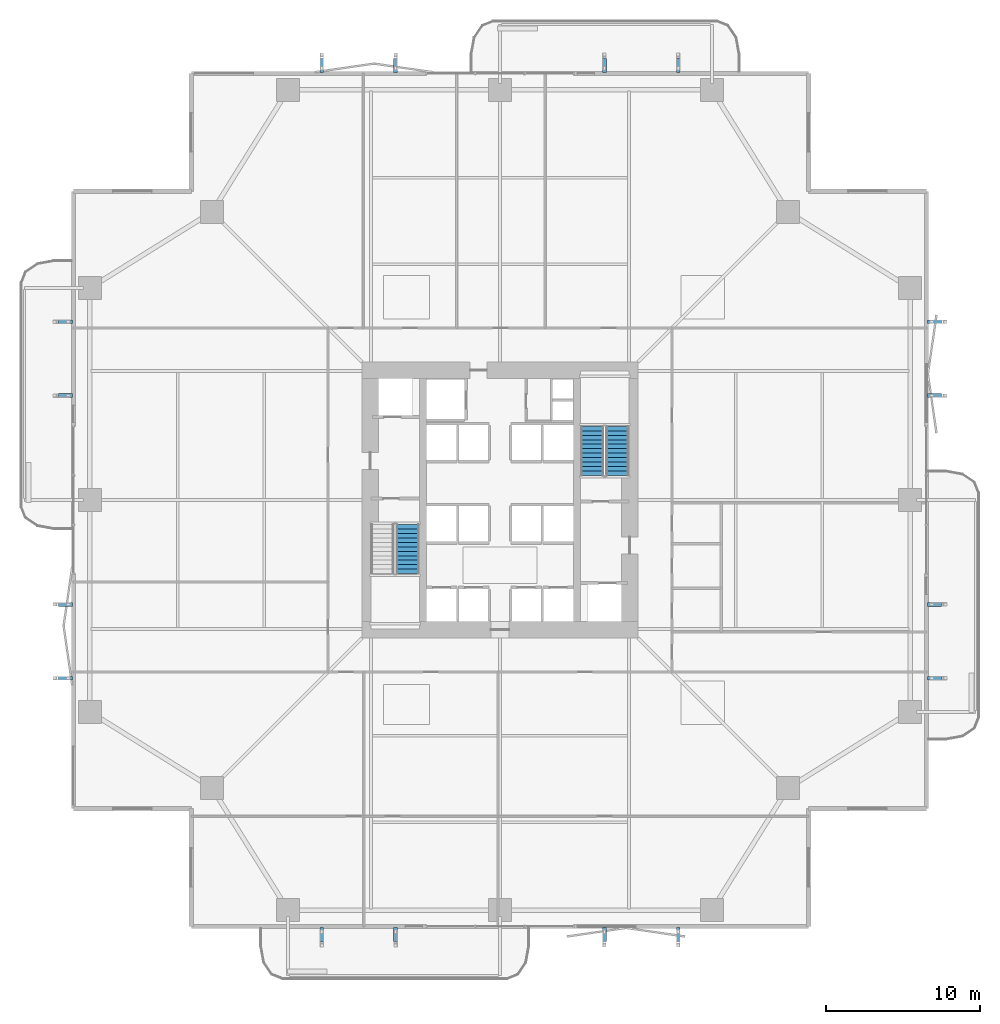
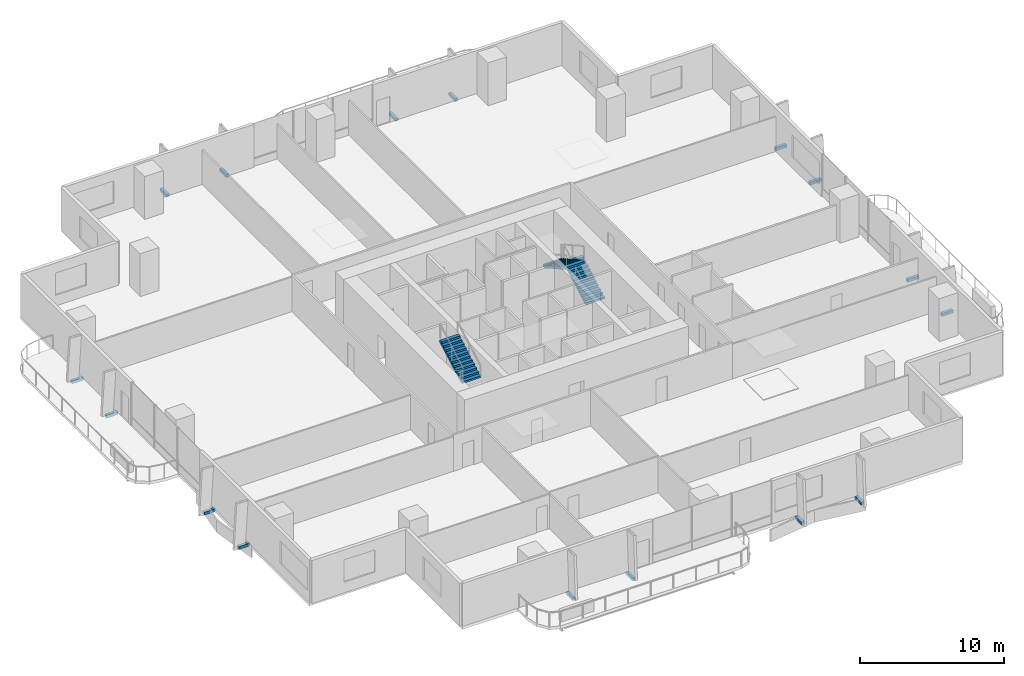
# One storey, part 20 of 23: 16 discrete accessories, 3 stair flights, 2 elements without a shape of their own.
"""IFC4 building model written with IfcOpenShell, lengths in metres."""

from ifc_helpers import new_model, si_unit, direction, frame, origin, origin_2d, place, context, subcontext, project, spatial, polyline, rectangle, outline, extrude, material, layer, layer_set, type_object, element, aggregate, save


model = new_model("IFC4")

# Units and contexts
model_context = context("Model", 3, precision=1e-05, world=origin(), true_north=direction((0.0, 1.0)))
body_context = subcontext(model_context, "Body", "Model", "MODEL_VIEW")
ifc_project = project(units=[si_unit("LENGTHUNIT", "METRE"), si_unit("AREAUNIT", "SQUARE_METRE"), si_unit("VOLUMEUNIT", "CUBIC_METRE"), si_unit("PLANEANGLEUNIT", "RADIAN"), si_unit("MASSUNIT", "GRAM", prefix="KILO")], contexts=[model_context])

# Site, building, storey
site_placement = place(None, origin())
site = spatial("IfcSite", under=ifc_project, at=site_placement, CompositionType="ELEMENT")
building_placement = place(site_placement, origin())
building = spatial("IfcBuilding", under=site, at=building_placement, Name="Belovzor Exchange Tower", CompositionType="ELEMENT")
storey_placement = place(building_placement, frame((0.0, 0.0, 88.5)))
storey = spatial("IfcBuildingStorey", under=building, at=storey_placement, Name="L21", CompositionType="ELEMENT", Elevation=88.5)

# Stair, stair flight
ifc_material_1 = material(Name="Concrete C40/50", Category="concrete")
stair_type = type_object("IfcStairType", Name="Reinforced Concrete Dogleg Escape Stair 1350", PredefinedType="HALF_TURN_STAIR", material=ifc_material_1)
stair_1_placement = place(storey_placement, origin())
stair_1 = element("IfcStair", 1, at=stair_1_placement, inside=storey, type_object=stair_type, Name="L21 ST-1", PredefinedType="HALF_TURN_STAIR")
ifc_material_2 = material(Name="Concrete C40/50", Category="concrete")
stair_flight_type = type_object("IfcStairFlightType", Name="Reinforced Concrete Stair Flight 1350", PredefinedType="STRAIGHT", material=ifc_material_2)
stair_flight_1_placement = place(storey_placement, frame((22.800048828125, 24.010009765625, 1.949951171875), z_axis=(0.0, 0.0, 1.0), x_axis=(0.0, 1.0, 0.0)))
stair_flight_1 = element("IfcStairFlight", 2, at=stair_flight_1_placement, type_object=stair_flight_type, Name="ST-1 flight 2", NumberOfRisers=12, NumberOfTreads=11, PredefinedType="STRAIGHT", RiserHeight=0.1625, TreadLength=0.29, context=body_context, shape_type="SweptSolid", body=[
    extrude(outline(polyline([(0.0, 0.0), (0.0, 0.16259765625), (0.2900390625, 0.16259765625), (0.2900390625, 0.324951171875), (0.580078125, 0.324951171875), (0.580078125, 0.487548828125), (0.8701171875, 0.487548828125), (0.8701171875, 0.64990234375), (1.159912109375, 0.64990234375), (1.159912109375, 0.8125), (1.449951171875, 0.8125), (1.449951171875, 0.97509765625), (1.739990234375, 0.97509765625), (1.739990234375, 1.137451171875), (2.030029296875, 1.137451171875), (2.030029296875, 1.300048828125), (2.320068359375, 1.300048828125), (2.320068359375, 1.46240234375), (2.610107421875, 1.46240234375), (2.610107421875, 1.625), (2.89990234375, 1.625), (2.89990234375, 1.78759765625), (3.18994140625, 1.78759765625), (3.18994140625, 1.949951171875), (3.18994140625, 1.61572265625), (0.306640625, 0.0), (0.0, 0.0)])), frame((0.0, 0.75, 0.0), z_axis=(0.0, -1.0, 0.0), x_axis=(1.0, 0.0, 0.0)), (0.0, 0.0, 1.0), 1.5),
])
aggregate(stair_1, [stair_flight_1])

# Stair, stair flights
stair_2_placement = place(storey_placement, origin())
stair_2 = element("IfcStair", 3, at=stair_2_placement, inside=storey, type_object=stair_type, Name="L21 ST-2", PredefinedType="HALF_TURN_STAIR")
stair_flight_2_placement = place(storey_placement, frame((36.449951171875, 30.39990234375, 0.0), z_axis=(0.0, 0.0, 1.0), x_axis=(0.0, 1.0, 0.0)))
stair_flight_2 = element("IfcStairFlight", 4, at=stair_flight_2_placement, type_object=stair_flight_type, Name="ST-2 flight 1", NumberOfRisers=12, NumberOfTreads=11, PredefinedType="STRAIGHT", RiserHeight=0.1625, TreadLength=0.29, context=body_context, shape_type="SweptSolid", body=[
    extrude(outline(polyline([(0.0, 0.0), (0.0, 0.16259765625), (0.2900390625, 0.16259765625), (0.2900390625, 0.324951171875), (0.580078125, 0.324951171875), (0.580078125, 0.487548828125), (0.8701171875, 0.487548828125), (0.8701171875, 0.64990234375), (1.159912109375, 0.64990234375), (1.159912109375, 0.8125), (1.449951171875, 0.8125), (1.449951171875, 0.97509765625), (1.739990234375, 0.97509765625), (1.739990234375, 1.137451171875), (2.030029296875, 1.137451171875), (2.030029296875, 1.300048828125), (2.320068359375, 1.300048828125), (2.320068359375, 1.46240234375), (2.610107421875, 1.46240234375), (2.610107421875, 1.625), (2.89990234375, 1.625), (2.89990234375, 1.78759765625), (3.18994140625, 1.78759765625), (3.18994140625, 1.949951171875), (3.18994140625, 1.61572265625), (0.306640625, 0.0), (0.0, 0.0)])), frame((0.0, 0.75, 0.0), z_axis=(0.0, -1.0, 0.0), x_axis=(1.0, 0.0, 0.0)), (0.0, 0.0, 1.0), 1.5),
])
stair_flight_3_placement = place(storey_placement, frame((34.800048828125, 33.590087890625, 1.949951171875), z_axis=(0.0, 0.0, 1.0), x_axis=(0.0, -1.0, 0.0)))
stair_flight_3 = element("IfcStairFlight", 5, at=stair_flight_3_placement, type_object=stair_flight_type, Name="ST-2 flight 2", NumberOfRisers=12, NumberOfTreads=11, PredefinedType="STRAIGHT", RiserHeight=0.1625, TreadLength=0.29, context=body_context, shape_type="SweptSolid", body=[
    extrude(outline(polyline([(0.0, 0.0), (0.0, 0.16259765625), (0.2900390625, 0.16259765625), (0.2900390625, 0.324951171875), (0.580078125, 0.324951171875), (0.580078125, 0.487548828125), (0.8701171875, 0.487548828125), (0.8701171875, 0.64990234375), (1.159912109375, 0.64990234375), (1.159912109375, 0.8125), (1.449951171875, 0.8125), (1.449951171875, 0.97509765625), (1.739990234375, 0.97509765625), (1.739990234375, 1.137451171875), (2.030029296875, 1.137451171875), (2.030029296875, 1.300048828125), (2.320068359375, 1.300048828125), (2.320068359375, 1.46240234375), (2.610107421875, 1.46240234375), (2.610107421875, 1.625), (2.89990234375, 1.625), (2.89990234375, 1.78759765625), (3.18994140625, 1.78759765625), (3.18994140625, 1.949951171875), (3.18994140625, 1.61572265625), (0.306640625, 0.0), (0.0, 0.0)])), frame((0.0, 0.75, 0.0), z_axis=(0.0, -1.0, 0.0), x_axis=(1.0, 0.0, 0.0)), (0.0, 0.0, 1.0), 1.5),
])
aggregate(stair_2, [stair_flight_2, stair_flight_3])

# Discrete accessories
ifc_material_3 = material(Name="Stainless Steel Grade 316", Category="steel")
ifc_layer = layer(ifc_material_3, 0.179931640625)
ifc_layer_set = layer_set([ifc_layer], Name="Stainless Steel Grade 316")
discrete_accessory_type = type_object("IfcDiscreteAccessoryType", Name="Stainless Steel Facade Outrigger Fixing Bracket", PredefinedType="BRACKET", material=ifc_layer_set)
for number, where, z_axis, x_axis, name in (
    (6, (17.199951171875, 0.52490234375, -0.2451171875), (0.0, 0.0, 1.0), (0.0, 1.0, 0.0), "BRK-FIN1 Sweeping Fin Outrigger Bracket L21 S1"),
    (7, (17.199951171875, 57.074951171875, -0.2451171875), (0.0, 0.0, 1.0), (0.0, 1.0, 0.0), "BRK-FIN1 Sweeping Fin Outrigger Bracket L21 N1"),
    (8, (0.52490234375, 17.199951171875, -0.2451171875), (0.0, 0.0, 1.0), (1.0, 0.0, 0.0), "BRK-FIN1 Sweeping Fin Outrigger Bracket L21 W1"),
    (9, (57.074951171875, 17.199951171875, -0.2451171875), (0.0, 0.0, 1.0), (1.0, 0.0, 0.0), "BRK-FIN1 Sweeping Fin Outrigger Bracket L21 E1"),
    (10, (22.0, 0.52490234375, -0.2451171875), (0.0, 0.0, 1.0), (0.0, 1.0, 0.0), "BRK-FIN1 Sweeping Fin Outrigger Bracket L21 S2"),
    (11, (22.0, 57.074951171875, -0.2451171875), (0.0, 0.0, 1.0), (0.0, 1.0, 0.0), "BRK-FIN1 Sweeping Fin Outrigger Bracket L21 N2"),
    (12, (0.52490234375, 22.0, -0.2451171875), (0.0, 0.0, 1.0), (1.0, 0.0, 0.0), "BRK-FIN1 Sweeping Fin Outrigger Bracket L21 W2"),
    (13, (57.074951171875, 22.0, -0.2451171875), (0.0, 0.0, 1.0), (1.0, 0.0, 0.0), "BRK-FIN1 Sweeping Fin Outrigger Bracket L21 E2"),
    (14, (35.60009765625, 0.52490234375, -0.2451171875), (0.0, 0.0, 1.0), (0.0, 1.0, 0.0), "BRK-FIN1 Sweeping Fin Outrigger Bracket L21 S3"),
    (15, (35.60009765625, 57.074951171875, -0.2451171875), (0.0, 0.0, 1.0), (0.0, 1.0, 0.0), "BRK-FIN1 Sweeping Fin Outrigger Bracket L21 N3"),
    (16, (0.52490234375, 35.60009765625, -0.2451171875), (0.0, 0.0, 1.0), (1.0, 0.0, 0.0), "BRK-FIN1 Sweeping Fin Outrigger Bracket L21 W3"),
    (17, (57.074951171875, 35.60009765625, -0.2451171875), (0.0, 0.0, 1.0), (1.0, 0.0, 0.0), "BRK-FIN1 Sweeping Fin Outrigger Bracket L21 E3"),
    (18, (40.39990234375, 0.52490234375, -0.2451171875), (0.0, 0.0, 1.0), (0.0, 1.0, 0.0), "BRK-FIN1 Sweeping Fin Outrigger Bracket L21 S4"),
    (19, (40.39990234375, 57.074951171875, -0.2451171875), (0.0, 0.0, 1.0), (0.0, 1.0, 0.0), "BRK-FIN1 Sweeping Fin Outrigger Bracket L21 N4"),
    (20, (0.52490234375, 40.39990234375, -0.2451171875), (0.0, 0.0, 1.0), (1.0, 0.0, 0.0), "BRK-FIN1 Sweeping Fin Outrigger Bracket L21 W4"),
    (21, (57.074951171875, 40.39990234375, -0.2451171875), (0.0, 0.0, 1.0), (1.0, 0.0, 0.0), "BRK-FIN1 Sweeping Fin Outrigger Bracket L21 E4"),
):
    element("IfcDiscreteAccessory", number, at=place(storey_placement, frame(where, z_axis=z_axis, x_axis=x_axis)), inside=storey, type_object=discrete_accessory_type, Name=name, PredefinedType="BRACKET", context=body_context, shape_type="SweptSolid", body=[
        extrude(rectangle(XDim=0.909912109375, YDim=0.239990234375, at=origin_2d()), origin(), (0.0, 0.0, 1.0), 0.239990234375),
    ])

save(model, "model.ifc")
